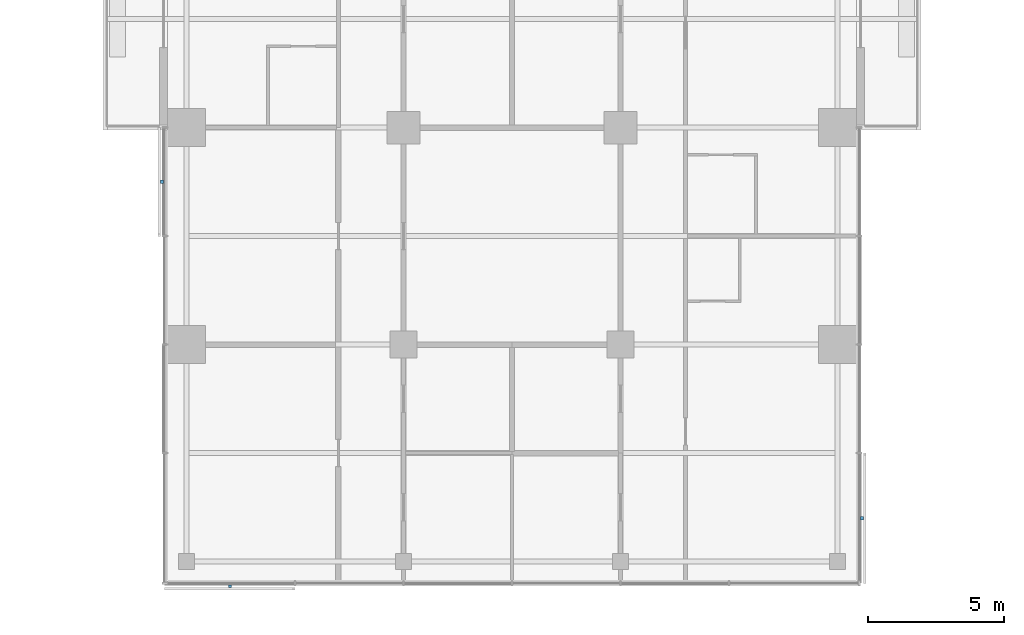
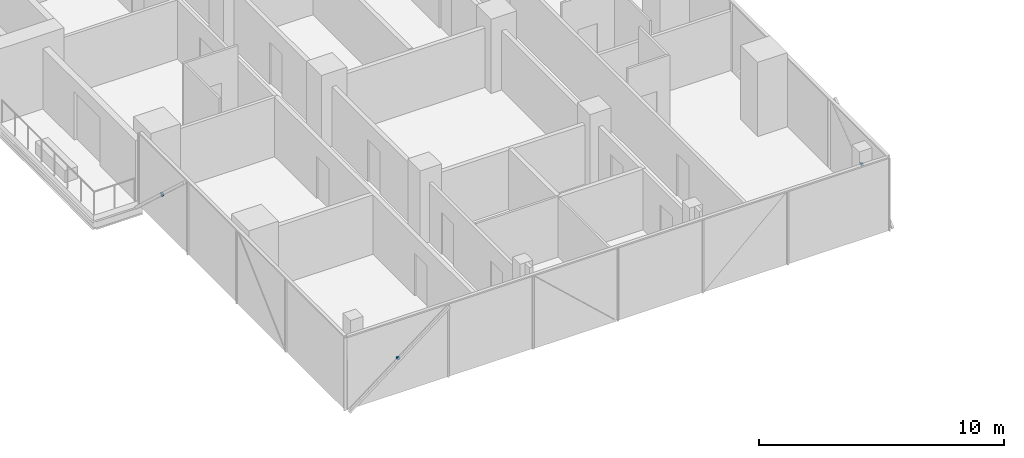
# One storey, part 23 of 27: 3 discrete accessories.
"""IFC4 building model written with IfcOpenShell, lengths in metres."""

from ifc_helpers import new_model, si_unit, direction, frame, origin, origin_2d, place, context, subcontext, project, spatial, rectangle, extrude, material, type_object, element, save


model = new_model("IFC4")

# Units and contexts
model_context = context("Model", 3, precision=1e-05, world=origin(), true_north=direction((0.0, 1.0)))
body_context = subcontext(model_context, "Body", "Model", "MODEL_VIEW")
ifc_project = project(units=[si_unit("LENGTHUNIT", "METRE"), si_unit("AREAUNIT", "SQUARE_METRE"), si_unit("VOLUMEUNIT", "CUBIC_METRE"), si_unit("PLANEANGLEUNIT", "RADIAN"), si_unit("MASSUNIT", "GRAM", prefix="KILO")], contexts=[model_context])

# Site, building, storey
site_placement = place(None, origin())
site = spatial("IfcSite", under=ifc_project, at=site_placement, CompositionType="ELEMENT")
building_placement = place(site_placement, origin())
building = spatial("IfcBuilding", under=site, at=building_placement, Name="Crosswind Convention Tower", CompositionType="ELEMENT")
storey_placement = place(building_placement, frame((0.0, 0.0, 86.800048828125)))
storey = spatial("IfcBuildingStorey", under=building, at=storey_placement, Name="L16", CompositionType="ELEMENT", Elevation=86.800048828125)

# Discrete accessories
ifc_material = material(Name="Stainless steel", Category="steel")
discrete_accessory_type = type_object("IfcDiscreteAccessoryType", Name="BAGUETTE BRACKET BK2", PredefinedType="BRACKET", material=ifc_material)
for number, where, z_axis, x_axis, name in (
    (1, (112.092041015625, 78.0, 1.477294921875), (0.0, 0.0, 1.0), (0.0, -1.0, 0.0), "BK2 baguette bracket"),
    (2, (114.60009765625, 63.092041015625, 1.477294921875), (0.0, 0.0, 1.0), (1.0, 0.0, 0.0), "BK2 baguette bracket"),
    (3, (137.907958984375, 65.60009765625, 1.477294921875), (0.0, 0.0, 1.0), (0.0, 1.0, 0.0), "BK2 baguette bracket"),
):
    element("IfcDiscreteAccessory", number, at=place(storey_placement, frame(where, z_axis=z_axis, x_axis=x_axis)), inside=storey, type_object=discrete_accessory_type, Name=name, PredefinedType="BRACKET", context=body_context, shape_type="SweptSolid", body=[
        extrude(rectangle(XDim=0.1201171875, YDim=0.10009765625, at=origin_2d()), origin(), (0.0, 0.0, 1.0), 0.1201171875),
    ])

save(model, "model.ifc")
